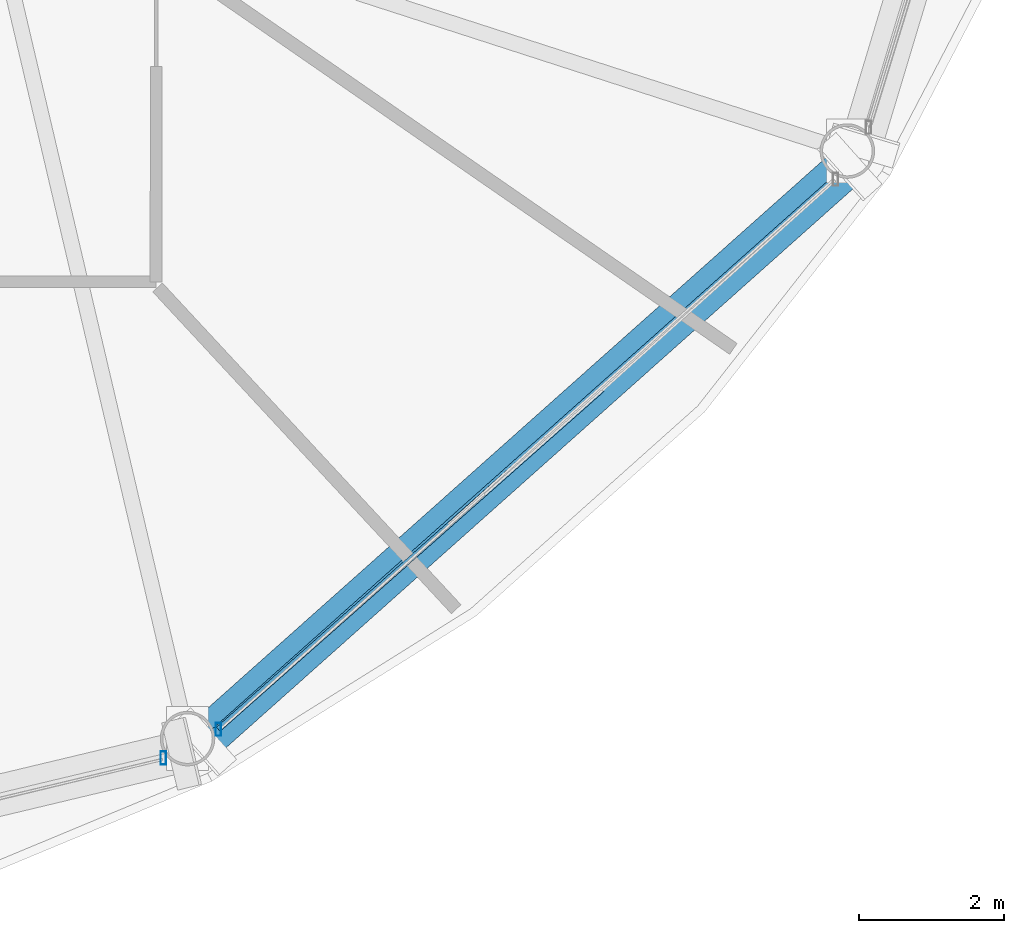
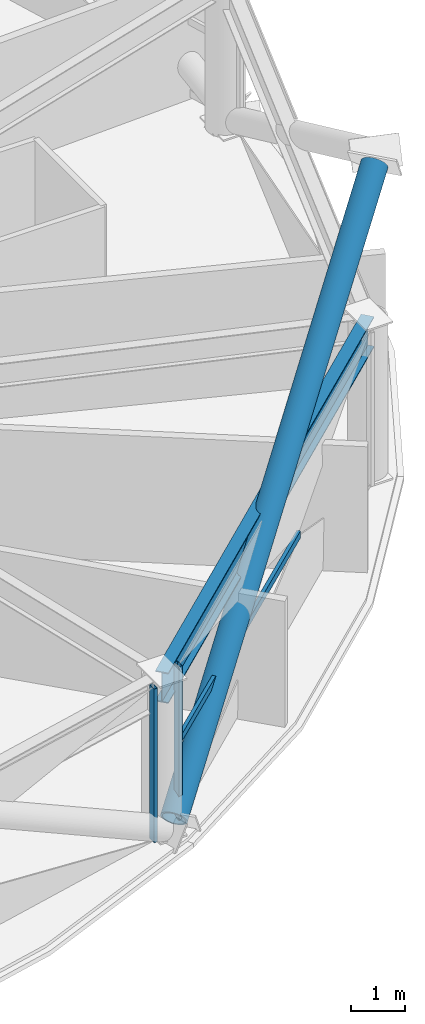
# One storey, part 8 of 29: 4 members, 1 beam, 2 elements without a shape of their own.
"""IFC4 building model written with IfcOpenShell, lengths in metres."""

from ifc_helpers import new_model, si_unit, direction, frame, origin, origin_2d, place, context, subcontext, project, spatial, hollow_rectangle, hollow_circle, i_section, extrude, material, layer, layer_set, material_profile, profile_set, type_object, element, aggregate, save


model = new_model("IFC4")

# Units and contexts
model_context = context("Model", 3, precision=1e-05, world=origin(), true_north=direction((0.0, 1.0)))
body_context = subcontext(model_context, "Body", "Model", "MODEL_VIEW")
ifc_project = project(units=[si_unit("LENGTHUNIT", "METRE"), si_unit("AREAUNIT", "SQUARE_METRE"), si_unit("VOLUMEUNIT", "CUBIC_METRE"), si_unit("PLANEANGLEUNIT", "RADIAN"), si_unit("MASSUNIT", "GRAM", prefix="KILO")], contexts=[model_context])

# Site, building, storey
site_placement = place(None, origin())
site = spatial("IfcSite", under=ifc_project, at=site_placement, CompositionType="ELEMENT")
building_placement = place(site_placement, origin())
building = spatial("IfcBuilding", under=site, at=building_placement, Name="Vantalir Tower", CompositionType="ELEMENT")
storey_placement = place(building_placement, frame((0.0, 0.0, 149.699951171875)))
storey = spatial("IfcBuildingStorey", under=building, at=storey_placement, Name="L37", CompositionType="ELEMENT", Elevation=149.699951171875)

# Beam
ifc_material_1 = material(Name="Steel S460", Category="steel")
ifc_material_profile_1 = material_profile(ifc_material_1, i_section(OverallWidth=0.256103515625, OverallDepth=0.693115234375, WebThickness=0.014404296875, FlangeThickness=0.023681640625, at=origin_2d()), Name="Steel S460")
ifc_profile_set_1 = profile_set([ifc_material_profile_1], Name="Steel S460")
beam_type = type_object("IfcBeamType", Name="BM-RG-686x254", PredefinedType="USERDEFINED", material=ifc_profile_set_1)
beam_placement = place(storey_placement, frame((43.89208984375, 5.887939453125, 3.22412109375), z_axis=(0.746827909531, 0.665017348305, 0.0), x_axis=(-0.665017348305, 0.746827909531, 0.0)))
element("IfcBeam", 1, at=beam_placement, inside=storey, type_object=beam_type, Name="L37 Circumferential Ring Girder 11", ObjectType="GIRDER", PredefinedType="USERDEFINED", context=body_context, shape_type="SweptSolid", body=[
    extrude(i_section(OverallWidth=0.256103515625, OverallDepth=0.693115234375, WebThickness=0.014404296875, FlangeThickness=0.023681640625, at=origin_2d()), origin(), (0.0, 0.0, 1.0), 12.145751953125),
])

# Curtain wall, member
ifc_material_2 = material(Name="Champagne-silver PVDF aluminium and double-silver Low-E glass", Category="aluminium")
ifc_layer = layer(ifc_material_2, 0.199951171875)
ifc_layer_set = layer_set([ifc_layer], Name="Champagne-silver PVDF aluminium and double-silver Low-E glass")
curtain_wall_type = type_object("IfcCurtainWallType", Name="CW-DIAMOND-Z2", PredefinedType="USERDEFINED", material=ifc_layer_set)
curtain_wall_1_placement = place(storey_placement, origin())
curtain_wall_1 = element("IfcCurtainWall", 2, at=curtain_wall_1_placement, inside=storey, type_object=curtain_wall_type, Name="L37 Quilted Pyramid-Diamond Curtain Wall S10", ObjectType="UNITISED CURTAIN WALL", PredefinedType="USERDEFINED")
ifc_material_3 = material(Name="Champagne-silver PVDF aluminium 6063-T6", Category="aluminium")
ifc_material_profile_2 = material_profile(ifc_material_3, hollow_rectangle(XDim=0.074951171875, YDim=0.179931640625, WallThickness=0.00390625, at=origin_2d()), Name="Champagne-silver PVDF aluminium 6063-T6")
ifc_profile_set_2 = profile_set([ifc_material_profile_2], Name="Champagne-silver PVDF aluminium 6063-T6")
member_type_1 = type_object("IfcMemberType", Name="CWM-180x75", PredefinedType="MULLION", material=ifc_profile_set_2)
member_1_placement = place(storey_placement, frame((43.55908203125, 5.62109375, 0.045166015625), z_axis=(0.0, 0.0, 1.0), x_axis=(1.0, 0.0, 0.0)))
member_1 = element("IfcMember", 3, at=member_1_placement, type_object=member_type_1, Name="CW-L37-S10 Mullion 2", PredefinedType="MULLION", context=body_context, shape_type="SweptSolid", body=[
    extrude(hollow_rectangle(XDim=0.074951171875, YDim=0.179931640625, WallThickness=0.00390625, at=origin_2d()), origin(), (0.0, 0.0, 1.0), 3.47998046875),
])
aggregate(curtain_wall_1, [member_1])

# Curtain wall, members
curtain_wall_2_placement = place(storey_placement, origin())
curtain_wall_2 = element("IfcCurtainWall", 4, at=curtain_wall_2_placement, inside=storey, type_object=curtain_wall_type, Name="L37 Quilted Pyramid-Diamond Curtain Wall S11", ObjectType="UNITISED CURTAIN WALL", PredefinedType="USERDEFINED")
member_2_placement = place(storey_placement, frame((44.31494140625, 6.01611328125, 0.045166015625), z_axis=(0.0, 0.0, 1.0), x_axis=(1.0, 0.0, 0.0)))
member_2 = element("IfcMember", 5, at=member_2_placement, type_object=member_type_1, Name="CW-L37-S11 Mullion 1", PredefinedType="MULLION", context=body_context, shape_type="SweptSolid", body=[
    extrude(hollow_rectangle(XDim=0.074951171875, YDim=0.179931640625, WallThickness=0.00390625, at=origin_2d()), origin(), (0.0, 0.0, 1.0), 3.47998046875),
])
ifc_material_profile_3 = material_profile(ifc_material_3, hollow_rectangle(XDim=0.074951171875, YDim=0.159912109375, WallThickness=0.00390625, at=origin_2d()), Name="Champagne-silver PVDF aluminium 6063-T6")
ifc_profile_set_3 = profile_set([ifc_material_profile_3], Name="Champagne-silver PVDF aluminium 6063-T6")
member_type_2 = type_object("IfcMemberType", Name="CWT-160x75", PredefinedType="USERDEFINED", material=ifc_profile_set_3)
member_3_placement = place(storey_placement, frame((44.31494140625, 6.01611328125, 1.78515625), z_axis=(0.748790963028, 0.662806226349, 0.0), x_axis=(-0.662806226349, 0.748790963028, 0.0)))
member_3 = element("IfcMember", 6, at=member_3_placement, type_object=member_type_2, Name="CW-L37-S11 Pyramid Fold Ridge Transom", ObjectType="TRANSOM", PredefinedType="USERDEFINED", context=body_context, shape_type="SweptSolid", body=[
    extrude(hollow_rectangle(XDim=0.074951171875, YDim=0.159912109375, WallThickness=0.00390625, at=origin_2d()), origin(), (0.0, 0.0, 1.0), 7.050048828125),
])
aggregate(curtain_wall_2, [member_2, member_3])

# Member
ifc_material_profile_4 = material_profile(ifc_material_1, hollow_circle(Radius=0.260009765625, WallThickness=0.0380859375, at=origin_2d()), Name="Steel S460")
ifc_profile_set_4 = profile_set([ifc_material_profile_4], Name="Steel S460")
member_type_3 = type_object("IfcMemberType", Name="MEM-DB-520x38", PredefinedType="BRACE", material=ifc_profile_set_4)
member_4_placement = place(storey_placement, frame((44.12890625, 5.84912109375, 0.191162109375), z_axis=(0.644372079424, 0.574419295172, 0.504804018004), x_axis=(-0.665427113385, 0.746462830134, 0.0)))
element("IfcMember", 7, at=member_4_placement, inside=storey, type_object=member_type_3, Name="L37 Perimeter S460 Diagrid Brace R31L", PredefinedType="BRACE", context=body_context, shape_type="SweptSolid", body=[
    extrude(hollow_circle(Radius=0.260009765625, WallThickness=0.0380859375, at=origin_2d()), origin(), (0.0, 0.0, 1.0), 13.743896484375),
])

save(model, "model.ifc")
